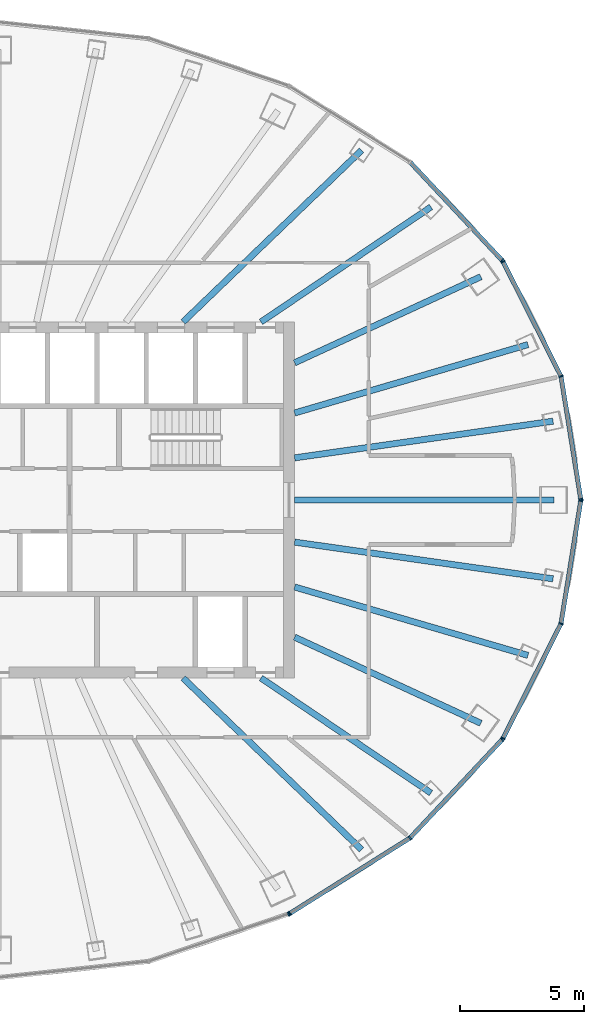
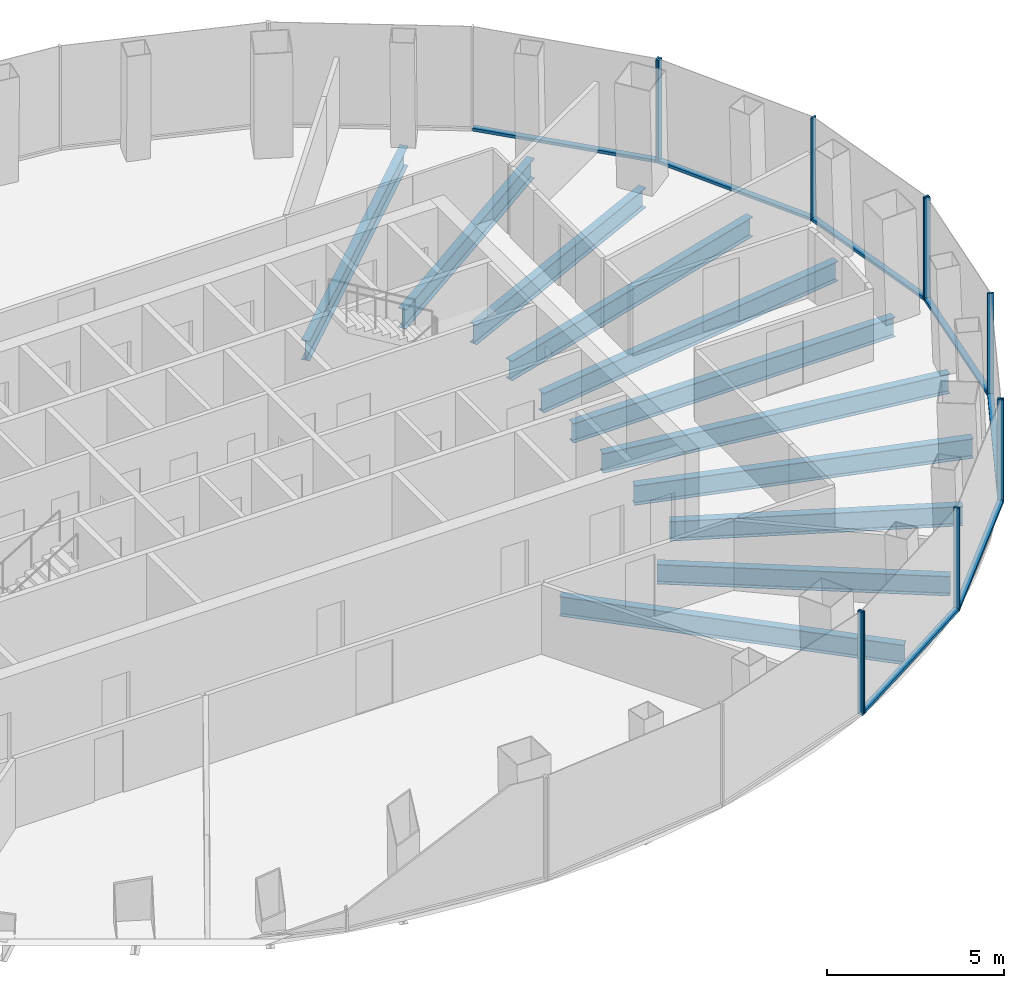
# One storey, part 6 of 13: 18 members, 11 beams, 5 elements without a shape of their own.
"""IFC4 building model written with IfcOpenShell, lengths in metres."""

from ifc_helpers import new_model, si_unit, direction, frame, origin, origin_2d, place, context, subcontext, project, spatial, rectangle, i_section, extrude, material, layer, layer_set, material_profile, profile_set, type_object, element, aggregate, save


model = new_model("IFC4")

# Units and contexts
model_context = context("Model", 3, precision=1e-05, world=origin(), true_north=direction((0.0, 1.0)))
body_context = subcontext(model_context, "Body", "Model", "MODEL_VIEW")
ifc_project = project(units=[si_unit("LENGTHUNIT", "METRE"), si_unit("AREAUNIT", "SQUARE_METRE"), si_unit("VOLUMEUNIT", "CUBIC_METRE"), si_unit("PLANEANGLEUNIT", "RADIAN"), si_unit("MASSUNIT", "GRAM", prefix="KILO")], contexts=[model_context])

# Site, building, storey
site_placement = place(None, origin())
site = spatial("IfcSite", under=ifc_project, at=site_placement, CompositionType="ELEMENT")
building_placement = place(site_placement, origin())
building = spatial("IfcBuilding", under=site, at=building_placement, Name="Siaravel Broadcast Tower", CompositionType="ELEMENT")
storey_placement = place(building_placement, frame((0.0, 0.0, 171.89990234375)))
storey = spatial("IfcBuildingStorey", under=building, at=storey_placement, Name="L41", CompositionType="ELEMENT", Elevation=171.89990234375)

# Beams
ifc_material_1 = material(Name="Steel S355", Category="steel")
ifc_material_profile_1 = material_profile(ifc_material_1, i_section(OverallWidth=0.2529296875, OverallDepth=0.677978515625, WebThickness=0.01171875, FlangeThickness=0.01611328125, FilletRadius=0.01513671875, at=origin_2d()))
ifc_profile_set_1 = profile_set([ifc_material_profile_1], Name="Steel S355")
beam_type = type_object("IfcBeamType", Name="BM-UB 686x254x125", PredefinedType="BEAM", material=ifc_profile_set_1)
beam_1_placement = place(storey_placement, frame((22.49267578125, 0.0, -0.489013671875), z_axis=(-1.0, 0.0, 0.0), x_axis=(0.0, -1.0, 0.0)))
element("IfcBeam", 1, at=beam_1_placement, inside=storey, type_object=beam_type, Name="Radial beam RB01", PredefinedType="BEAM", context=body_context, shape_type="SweptSolid", body=[
    extrude(i_section(OverallWidth=0.2529296875, OverallDepth=0.677978515625, WebThickness=0.01171875, FlangeThickness=0.01611328125, FilletRadius=0.01513671875, at=origin_2d()), origin(), (0.0, 0.0, 1.0), 10.49267578125),
])
beam_2_placement = place(storey_placement, frame((22.4521484375, 3.1875, -0.489013671875), z_axis=(-0.99007215, -0.140560089, 0.0), x_axis=(0.140560089, -0.99007215, 0.0)))
element("IfcBeam", 2, at=beam_2_placement, inside=storey, type_object=beam_type, Name="Radial beam RB02", PredefinedType="BEAM", context=body_context, shape_type="SweptSolid", body=[
    extrude(i_section(OverallWidth=0.2529296875, OverallDepth=0.677978515625, WebThickness=0.01171875, FlangeThickness=0.01611328125, FilletRadius=0.01513671875, at=origin_2d()), origin(), (0.0, 0.0, 1.0), 10.556884765625),
])
beam_3_placement = place(storey_placement, frame((21.438720703125, 6.28466796875, -0.489013671875), z_axis=(-0.959619649, -0.281300781, 0.0), x_axis=(0.281300781, -0.959619649, 0.0)))
element("IfcBeam", 3, at=beam_3_placement, inside=storey, type_object=beam_type, Name="Radial beam RB03", PredefinedType="BEAM", context=body_context, shape_type="SweptSolid", body=[
    extrude(i_section(OverallWidth=0.2529296875, OverallDepth=0.677978515625, WebThickness=0.01171875, FlangeThickness=0.01611328125, FilletRadius=0.01513671875, at=origin_2d()), origin(), (0.0, 0.0, 1.0), 9.8359375),
])
beam_4_placement = place(storey_placement, frame((19.53271484375, 9.02880859375, -0.489013671875), z_axis=(-0.907716412, -0.419584218, 0.0), x_axis=(0.419584218, -0.907716412, 0.0)))
element("IfcBeam", 4, at=beam_4_placement, inside=storey, type_object=beam_type, Name="Radial beam RB04", PredefinedType="BEAM", context=body_context, shape_type="SweptSolid", body=[
    extrude(i_section(OverallWidth=0.2529296875, OverallDepth=0.677978515625, WebThickness=0.01171875, FlangeThickness=0.01611328125, FilletRadius=0.01513671875, at=origin_2d()), origin(), (0.0, 0.0, 1.0), 8.298583984375),
])
beam_5_placement = place(storey_placement, frame((17.51416015625, 11.849609375, -0.489013671875), z_axis=(-0.828232804, -0.560384175, 0.0), x_axis=(0.560384175, -0.828232804, 0.0)))
element("IfcBeam", 5, at=beam_5_placement, inside=storey, type_object=beam_type, Name="Radial beam RB05", PredefinedType="BEAM", context=body_context, shape_type="SweptSolid", body=[
    extrude(i_section(OverallWidth=0.2529296875, OverallDepth=0.677978515625, WebThickness=0.01171875, FlangeThickness=0.01611328125, FilletRadius=0.01513671875, at=origin_2d()), origin(), (0.0, 0.0, 1.0), 8.29736328125),
])
for number, where, z_axis, x_axis, name in (
    (6, (14.7119140625, 14.14453125, -0.489013671875), (-0.72087052, -0.693069761, 0.0), (0.693069761, -0.72087052, 0.0), "Radial beam RB06"),
    (7, (14.7119140625, -14.14453125, -0.489013671875), (-0.72087052, 0.693069761, 0.0), (-0.693069761, -0.72087052, 0.0), "Radial beam RB32"),
):
    element("IfcBeam", number, at=place(storey_placement, frame(where, z_axis=z_axis, x_axis=x_axis)), inside=storey, type_object=beam_type, Name=name, PredefinedType="BEAM", context=body_context, shape_type="SweptSolid", body=[
        extrude(i_section(OverallWidth=0.2529296875, OverallDepth=0.677978515625, WebThickness=0.01171875, FlangeThickness=0.01611328125, FilletRadius=0.01513671875, at=origin_2d()), origin(), (0.0, 0.0, 1.0), 10.02001953125),
    ])
beam_6_placement = place(storey_placement, frame((17.51416015625, -11.849609375, -0.489013671875), z_axis=(-0.828232804, 0.560384175, 0.0), x_axis=(-0.560384175, -0.828232804, 0.0)))
element("IfcBeam", 8, at=beam_6_placement, inside=storey, type_object=beam_type, Name="Radial beam RB33", PredefinedType="BEAM", context=body_context, shape_type="SweptSolid", body=[
    extrude(i_section(OverallWidth=0.2529296875, OverallDepth=0.677978515625, WebThickness=0.01171875, FlangeThickness=0.01611328125, FilletRadius=0.01513671875, at=origin_2d()), origin(), (0.0, 0.0, 1.0), 8.29736328125),
])
beam_7_placement = place(storey_placement, frame((19.53271484375, -9.02880859375, -0.489013671875), z_axis=(-0.907716412, 0.419584218, 0.0), x_axis=(-0.419584218, -0.907716412, 0.0)))
element("IfcBeam", 9, at=beam_7_placement, inside=storey, type_object=beam_type, Name="Radial beam RB34", PredefinedType="BEAM", context=body_context, shape_type="SweptSolid", body=[
    extrude(i_section(OverallWidth=0.2529296875, OverallDepth=0.677978515625, WebThickness=0.01171875, FlangeThickness=0.01611328125, FilletRadius=0.01513671875, at=origin_2d()), origin(), (0.0, 0.0, 1.0), 8.298583984375),
])
beam_8_placement = place(storey_placement, frame((21.438720703125, -6.28466796875, -0.489013671875), z_axis=(-0.959619649, 0.281300781, 0.0), x_axis=(-0.281300781, -0.959619649, 0.0)))
element("IfcBeam", 10, at=beam_8_placement, inside=storey, type_object=beam_type, Name="Radial beam RB35", PredefinedType="BEAM", context=body_context, shape_type="SweptSolid", body=[
    extrude(i_section(OverallWidth=0.2529296875, OverallDepth=0.677978515625, WebThickness=0.01171875, FlangeThickness=0.01611328125, FilletRadius=0.01513671875, at=origin_2d()), origin(), (0.0, 0.0, 1.0), 9.8359375),
])
beam_9_placement = place(storey_placement, frame((22.4521484375, -3.1875, -0.489013671875), z_axis=(-0.99007215, 0.140560089, 0.0), x_axis=(-0.140560089, -0.99007215, 0.0)))
element("IfcBeam", 11, at=beam_9_placement, inside=storey, type_object=beam_type, Name="Radial beam RB36", PredefinedType="BEAM", context=body_context, shape_type="SweptSolid", body=[
    extrude(i_section(OverallWidth=0.2529296875, OverallDepth=0.677978515625, WebThickness=0.01171875, FlangeThickness=0.01611328125, FilletRadius=0.01513671875, at=origin_2d()), origin(), (0.0, 0.0, 1.0), 10.556884765625),
])

# Curtain wall, members
ifc_material_2 = material(Name="Aluminium 6063-T6", Category="aluminium")
ifc_layer = layer(ifc_material_2, 0.179931640625)
ifc_layer_set = layer_set([ifc_layer], Name="Aluminium 6063-T6")
curtain_wall_type = type_object("IfcCurtainWallType", Name="Unitised curtain wall, zone 3", PredefinedType="NOTDEFINED", material=ifc_layer_set)
curtain_wall_1_placement = place(storey_placement, origin())
curtain_wall_1 = element("IfcCurtainWall", 12, at=curtain_wall_1_placement, inside=storey, type_object=curtain_wall_type, Name="L41 Unitised curtain wall, zone 3 01", PredefinedType="NOTDEFINED")
ifc_material_profile_2 = material_profile(ifc_material_2, rectangle(XDim=0.179931640625, YDim=0.06005859375, at=origin_2d()))
ifc_profile_set_2 = profile_set([ifc_material_profile_2], Name="Aluminium 6063-T6")
member_type_1 = type_object("IfcMemberType", Name="CW-Z3 mullion", PredefinedType="MULLION", material=ifc_profile_set_2)
member_1_placement = place(storey_placement, frame((23.573974609375, 0.029541015625, 0.0), z_axis=(0.0, 0.0, 1.0), x_axis=(-0.98732916, -0.15868563, 0.0)))
member_1 = element("IfcMember", 13, at=member_1_placement, type_object=member_type_1, Name="CW-Z3 mullion 1", PredefinedType="MULLION", context=body_context, shape_type="SweptSolid", body=[
    extrude(rectangle(XDim=0.179931640625, YDim=0.06005859375, at=origin_2d()), origin(), (0.0, 0.0, 1.0), 3.550048828125),
])
member_2_placement = place(storey_placement, frame((22.7744140625, 5.003662109375, 0.0), z_axis=(0.0, 0.0, 1.0), x_axis=(-0.951177137, -0.308645515, 0.0)))
member_2 = element("IfcMember", 14, at=member_2_placement, type_object=member_type_1, Name="CW-Z3 mullion 2", PredefinedType="MULLION", context=body_context, shape_type="SweptSolid", body=[
    extrude(rectangle(XDim=0.179931640625, YDim=0.06005859375, at=origin_2d()), origin(), (0.0, 0.0, 1.0), 3.550048828125),
])
member_3_placement = place(storey_placement, frame((20.430908203125, 9.63818359375, 0.0), z_axis=(0.0, 0.0, 1.0), x_axis=(-0.892391915, -0.4512612, 0.0)))
member_3 = element("IfcMember", 15, at=member_3_placement, type_object=member_type_1, Name="CW-Z3 mullion 3", PredefinedType="MULLION", context=body_context, shape_type="SweptSolid", body=[
    extrude(rectangle(XDim=0.179931640625, YDim=0.06005859375, at=origin_2d()), origin(), (0.0, 0.0, 1.0), 3.550048828125),
])

# Curtain wall, member
curtain_wall_2_placement = place(storey_placement, origin())
curtain_wall_2 = element("IfcCurtainWall", 16, at=curtain_wall_2_placement, inside=storey, type_object=curtain_wall_type, Name="L41 Unitised curtain wall, zone 3 02", PredefinedType="NOTDEFINED")
member_4_placement = place(storey_placement, frame((20.396728515625, 9.68701171875, 0.0), z_axis=(0.0, 0.0, 1.0), x_axis=(-0.729804878, -0.683655498, 0.0)))
member_4 = element("IfcMember", 17, at=member_4_placement, type_object=member_type_1, Name="CW-Z3 mullion 1", PredefinedType="MULLION", context=body_context, shape_type="SweptSolid", body=[
    extrude(rectangle(XDim=0.179931640625, YDim=0.06005859375, at=origin_2d()), origin(), (0.0, 0.0, 1.0), 3.550048828125),
])

curtain_wall_3_placement = place(storey_placement, origin())
curtain_wall_3 = element("IfcCurtainWall", 18, at=curtain_wall_3_placement, inside=storey, type_object=curtain_wall_type, Name="L41 Unitised curtain wall, zone 3 10", PredefinedType="NOTDEFINED")
member_5_placement = place(storey_placement, frame((11.75732421875, -16.745361328125, 0.0), z_axis=(0.0, 0.0, 1.0), x_axis=(-0.321300283, 0.946977364, 0.0)))
member_5 = element("IfcMember", 19, at=member_5_placement, type_object=member_type_1, Name="CW-Z3 mullion 3", PredefinedType="MULLION", context=body_context, shape_type="SweptSolid", body=[
    extrude(rectangle(XDim=0.179931640625, YDim=0.06005859375, at=origin_2d()), origin(), (0.0, 0.0, 1.0), 3.550048828125),
])
aggregate(curtain_wall_3, [member_5])

# Curtain wall, members
curtain_wall_4_placement = place(storey_placement, origin())
curtain_wall_4 = element("IfcCurtainWall", 20, at=curtain_wall_4_placement, inside=storey, type_object=curtain_wall_type, Name="L41 Unitised curtain wall, zone 3 11", PredefinedType="NOTDEFINED")
member_6_placement = place(storey_placement, frame((11.81103515625, -16.7197265625, 0.0), z_axis=(0.0, 0.0, 1.0), x_axis=(-0.532148789, 0.846650852, 0.0)))
member_6 = element("IfcMember", 21, at=member_6_placement, type_object=member_type_1, Name="CW-Z3 mullion 1", PredefinedType="MULLION", context=body_context, shape_type="SweptSolid", body=[
    extrude(rectangle(XDim=0.179931640625, YDim=0.06005859375, at=origin_2d()), origin(), (0.0, 0.0, 1.0), 3.550048828125),
])
member_7_placement = place(storey_placement, frame((16.6689453125, -13.66650390625, 0.0), z_axis=(0.0, 0.0, 1.0), x_axis=(-0.63621823, 0.771509147, 0.0)))
member_7 = element("IfcMember", 22, at=member_7_placement, type_object=member_type_1, Name="CW-Z3 mullion 2", PredefinedType="MULLION", context=body_context, shape_type="SweptSolid", body=[
    extrude(rectangle(XDim=0.179931640625, YDim=0.06005859375, at=origin_2d()), origin(), (0.0, 0.0, 1.0), 3.550048828125),
])
member_8_placement = place(storey_placement, frame((20.396728515625, -9.68701171875, 0.0), z_axis=(0.0, 0.0, 1.0), x_axis=(-0.729804878, 0.683655498, 0.0)))
member_8 = element("IfcMember", 23, at=member_8_placement, type_object=member_type_1, Name="CW-Z3 mullion 3", PredefinedType="MULLION", context=body_context, shape_type="SweptSolid", body=[
    extrude(rectangle(XDim=0.179931640625, YDim=0.06005859375, at=origin_2d()), origin(), (0.0, 0.0, 1.0), 3.550048828125),
])

curtain_wall_5_placement = place(storey_placement, origin())
curtain_wall_5 = element("IfcCurtainWall", 24, at=curtain_wall_5_placement, inside=storey, type_object=curtain_wall_type, Name="L41 Unitised curtain wall, zone 3 12", PredefinedType="NOTDEFINED")
member_9_placement = place(storey_placement, frame((20.430908203125, -9.63818359375, 0.0), z_axis=(0.0, 0.0, 1.0), x_axis=(-0.892391915, 0.4512612, 0.0)))
member_9 = element("IfcMember", 25, at=member_9_placement, type_object=member_type_1, Name="CW-Z3 mullion 1", PredefinedType="MULLION", context=body_context, shape_type="SweptSolid", body=[
    extrude(rectangle(XDim=0.179931640625, YDim=0.06005859375, at=origin_2d()), origin(), (0.0, 0.0, 1.0), 3.550048828125),
])
member_10_placement = place(storey_placement, frame((22.7744140625, -5.003662109375, 0.0), z_axis=(0.0, 0.0, 1.0), x_axis=(-0.951177137, 0.308645515, 0.0)))
member_10 = element("IfcMember", 26, at=member_10_placement, type_object=member_type_1, Name="CW-Z3 mullion 2", PredefinedType="MULLION", context=body_context, shape_type="SweptSolid", body=[
    extrude(rectangle(XDim=0.179931640625, YDim=0.06005859375, at=origin_2d()), origin(), (0.0, 0.0, 1.0), 3.550048828125),
])
member_11_placement = place(storey_placement, frame((23.573974609375, -0.029541015625, 0.0), z_axis=(0.0, 0.0, 1.0), x_axis=(-0.98732916, 0.15868563, 0.0)))
member_11 = element("IfcMember", 27, at=member_11_placement, type_object=member_type_1, Name="CW-Z3 mullion 3", PredefinedType="MULLION", context=body_context, shape_type="SweptSolid", body=[
    extrude(rectangle(XDim=0.179931640625, YDim=0.06005859375, at=origin_2d()), origin(), (0.0, 0.0, 1.0), 3.550048828125),
])

# Member
ifc_material_profile_3 = material_profile(ifc_material_2, rectangle(XDim=0.179931640625, YDim=0.10009765625, at=origin_2d()))
ifc_profile_set_3 = profile_set([ifc_material_profile_3], Name="Aluminium 6063-T6")
member_type_2 = type_object("IfcMemberType", Name="CW-Z3 transom", PredefinedType="USERDEFINED", material=ifc_profile_set_3)
member_12_placement = place(storey_placement, frame((23.569091796875, 0.05908203125, 0.050048828125), z_axis=(-0.158654191, 0.987334213, 0.0), x_axis=(-0.987334213, -0.158654191, 0.0)))
member_12 = element("IfcMember", 28, at=member_12_placement, type_object=member_type_2, Name="CW-Z3 transom 1", ObjectType="TRANSOM", PredefinedType="USERDEFINED", context=body_context, shape_type="SweptSolid", body=[
    extrude(rectangle(XDim=0.179931640625, YDim=0.10009765625, at=origin_2d()), origin(), (0.0, 0.0, 1.0), 4.97802734375),
])

member_13_placement = place(storey_placement, frame((22.760986328125, 5.030517578125, 0.050048828125), z_axis=(-0.451279947, 0.892382435, 0.0), x_axis=(-0.892382435, -0.451279947, 0.0)))
member_13 = element("IfcMember", 29, at=member_13_placement, type_object=member_type_2, Name="CW-Z3 transom 2", ObjectType="TRANSOM", PredefinedType="USERDEFINED", context=body_context, shape_type="SweptSolid", body=[
    extrude(rectangle(XDim=0.179931640625, YDim=0.10009765625, at=origin_2d()), origin(), (0.0, 0.0, 1.0), 5.133544921875),
])

aggregate(curtain_wall_1, [member_1, member_2, member_3, member_12, member_13])

member_14_placement = place(storey_placement, frame((20.376220703125, 9.708984375, 0.050048828125), z_axis=(-0.683663984, 0.729796929, 0.0), x_axis=(-0.729796929, -0.683663984, 0.0)))
member_14 = element("IfcMember", 30, at=member_14_placement, type_object=member_type_2, Name="CW-Z3 transom 1", ObjectType="TRANSOM", PredefinedType="USERDEFINED", context=body_context, shape_type="SweptSolid", body=[
    extrude(rectangle(XDim=0.179931640625, YDim=0.10009765625, at=origin_2d()), origin(), (0.0, 0.0, 1.0), 5.392578125),
])

aggregate(curtain_wall_2, [member_4, member_14])

member_15_placement = place(storey_placement, frame((11.83642578125, -16.703857421875, 0.050048828125), z_axis=(0.84664762, 0.532153933, 0.0), x_axis=(-0.532153933, 0.84664762, 0.0)))
member_15 = element("IfcMember", 31, at=member_15_placement, type_object=member_type_2, Name="CW-Z3 transom 1", ObjectType="TRANSOM", PredefinedType="USERDEFINED", context=body_context, shape_type="SweptSolid", body=[
    extrude(rectangle(XDim=0.179931640625, YDim=0.10009765625, at=origin_2d()), origin(), (0.0, 0.0, 1.0), 5.677734375),
])

member_16_placement = place(storey_placement, frame((16.689453125, -13.64453125, 0.050048828125), z_axis=(0.683663984, 0.729796929, 0.0), x_axis=(-0.729796929, 0.683663984, 0.0)))
member_16 = element("IfcMember", 32, at=member_16_placement, type_object=member_type_2, Name="CW-Z3 transom 2", ObjectType="TRANSOM", PredefinedType="USERDEFINED", context=body_context, shape_type="SweptSolid", body=[
    extrude(rectangle(XDim=0.179931640625, YDim=0.10009765625, at=origin_2d()), origin(), (0.0, 0.0, 1.0), 5.392578125),
])

aggregate(curtain_wall_4, [member_6, member_7, member_8, member_15, member_16])

member_17_placement = place(storey_placement, frame((20.4443359375, -9.611572265625, 0.050048828125), z_axis=(0.451279947, 0.892382435, 0.0), x_axis=(-0.892382435, 0.451279947, 0.0)))
member_17 = element("IfcMember", 33, at=member_17_placement, type_object=member_type_2, Name="CW-Z3 transom 1", ObjectType="TRANSOM", PredefinedType="USERDEFINED", context=body_context, shape_type="SweptSolid", body=[
    extrude(rectangle(XDim=0.179931640625, YDim=0.10009765625, at=origin_2d()), origin(), (0.0, 0.0, 1.0), 5.133544921875),
])

member_18_placement = place(storey_placement, frame((22.779296875, -4.97412109375, 0.050048828125), z_axis=(0.158654191, 0.987334213, 0.0), x_axis=(-0.987334213, 0.158654191, 0.0)))
member_18 = element("IfcMember", 34, at=member_18_placement, type_object=member_type_2, Name="CW-Z3 transom 2", ObjectType="TRANSOM", PredefinedType="USERDEFINED", context=body_context, shape_type="SweptSolid", body=[
    extrude(rectangle(XDim=0.179931640625, YDim=0.10009765625, at=origin_2d()), origin(), (0.0, 0.0, 1.0), 4.97802734375),
])

aggregate(curtain_wall_5, [member_9, member_10, member_11, member_17, member_18])

save(model, "model.ifc")
